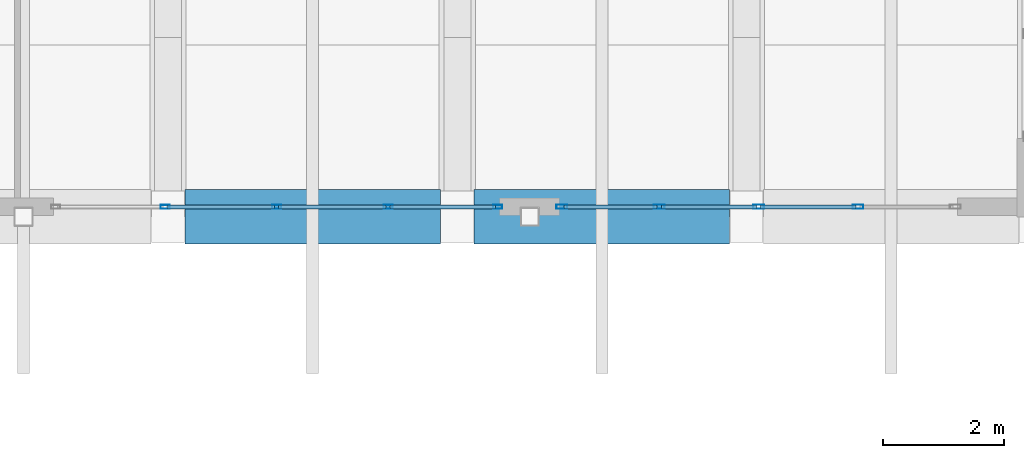
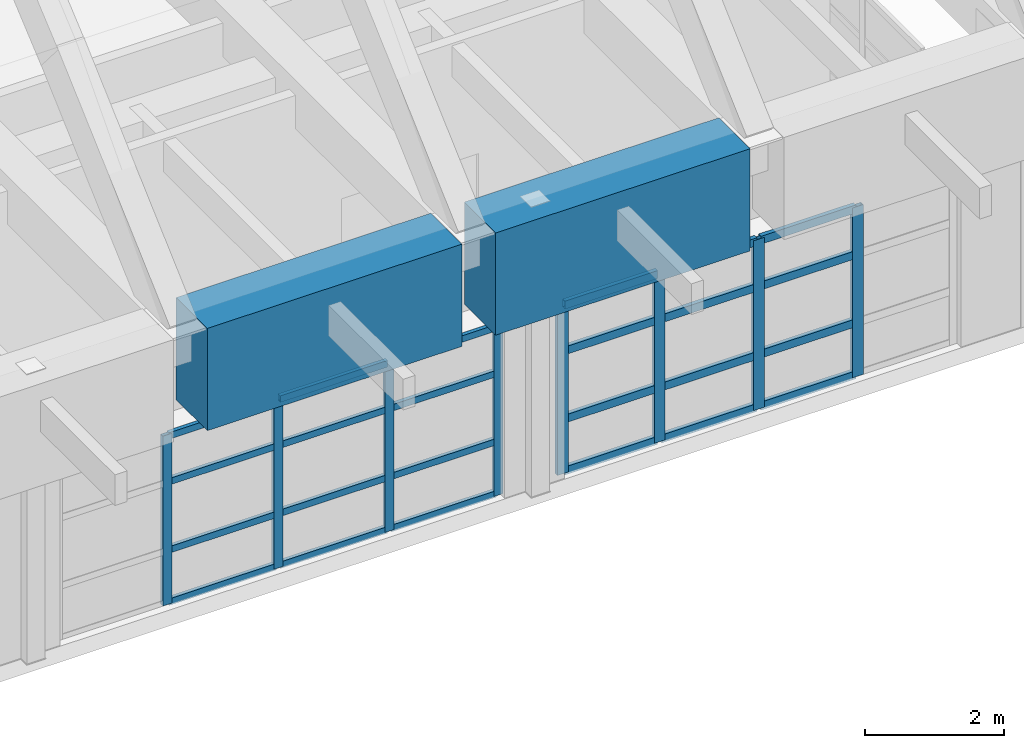
# One storey, part 41 of 78: 32 members, 2 beams, 2 elements without a shape of their own.
"""IFC4 building model written with IfcOpenShell, lengths in metres."""

from ifc_helpers import new_model, si_unit, direction, frame, origin, origin_2d, place, context, subcontext, project, spatial, rectangle, hollow_rectangle, extrude, material, layer, layer_set, material_profile, profile_set, type_object, element, aggregate, save


model = new_model("IFC4")

# Units and contexts
model_context = context("Model", 3, precision=1e-05, world=origin(), true_north=direction((0.0, 1.0)))
body_context = subcontext(model_context, "Body", "Model", "MODEL_VIEW")
ifc_project = project(units=[si_unit("LENGTHUNIT", "METRE"), si_unit("AREAUNIT", "SQUARE_METRE"), si_unit("VOLUMEUNIT", "CUBIC_METRE"), si_unit("PLANEANGLEUNIT", "RADIAN"), si_unit("MASSUNIT", "GRAM", prefix="KILO")], contexts=[model_context])

# Site, building, storey
site_placement = place(None, origin())
site = spatial("IfcSite", under=ifc_project, at=site_placement, CompositionType="ELEMENT")
building_placement = place(site_placement, origin())
building = spatial("IfcBuilding", under=site, at=building_placement, Name="Quendrovan Civic Courthouse", CompositionType="ELEMENT")
storey_placement = place(building_placement, frame((0.0, 0.0, 20.39990234375)))
storey = spatial("IfcBuildingStorey", under=building, at=storey_placement, Name="L05", CompositionType="ELEMENT", Elevation=20.39990234375)

# Beams
ifc_material_1 = material(Name="Concrete C45/55", Category="concrete")
ifc_material_profile_1 = material_profile(ifc_material_1, rectangle(XDim=0.89990234375, YDim=1.800048828125, at=origin_2d()), Name="RC-TG-900x1800")
ifc_profile_set_1 = profile_set([ifc_material_profile_1], Name="Concrete C45/55")
beam_type = type_object("IfcBeamType", Name="BM-TG1800", PredefinedType="BEAM", material=ifc_profile_set_1)
for number, where, z_axis, x_axis, name in (
    (1, (128.679931640625, 87.60009765625, 4.2001953125), (1.0, 0.0, 0.0), (0.0, 1.0, 0.0), "BV1 Springing Collector Girder S-5"),
    (2, (133.47998046875, 87.60009765625, 4.2001953125), (1.0, 0.0, 0.0), (0.0, 1.0, 0.0), "BV1 Springing Collector Girder S-6"),
):
    element("IfcBeam", number, at=place(storey_placement, frame(where, z_axis=z_axis, x_axis=x_axis)), inside=storey, type_object=beam_type, Name=name, PredefinedType="BEAM", context=body_context, shape_type="SweptSolid", body=[
        extrude(rectangle(XDim=0.89990234375, YDim=1.800048828125, at=origin_2d()), origin(), (0.0, 0.0, 1.0), 4.239990234375),
    ])

# Curtain wall, members
ifc_material_2 = material(Name="Bronze anodised aluminium and low-E glass", Category="aluminium")
ifc_layer_1 = layer(ifc_material_2, 0.179931640625, Name="Bronze anodised aluminium and low-E glass")
ifc_layer_set_1 = layer_set([ifc_layer_1], Name="Bronze anodised aluminium and low-E glass")
curtain_wall_type_1 = type_object("IfcCurtainWallType", Name="CW-U66x30", PredefinedType="USERDEFINED", material=ifc_layer_set_1)
curtain_wall_1_placement = place(storey_placement, origin())
curtain_wall_1 = element("IfcCurtainWall", 3, at=curtain_wall_1_placement, inside=storey, type_object=curtain_wall_type_1, Name="L05 Unitised Hurricane Curtain Wall CW-198", ObjectType="UNITISED CURTAIN WALL", PredefinedType="USERDEFINED")
ifc_material_3 = material(Name="Bronze anodised aluminium", Category="aluminium")
ifc_material_profile_2 = material_profile(ifc_material_3, hollow_rectangle(XDim=0.070068359375, YDim=0.179931640625, WallThickness=0.00390625, at=origin_2d()), Name="CW-MULL-70x180")
ifc_profile_set_2 = profile_set([ifc_material_profile_2], Name="Bronze anodised aluminium")
member_type_1 = type_object("IfcMemberType", Name="CW-MULL-A", PredefinedType="MULLION", material=ifc_profile_set_2)
member_1_placement = place(storey_placement, frame((139.85009765625, 87.764892578125, 0.0), z_axis=(0.0, 0.0, 1.0), x_axis=(0.0, -1.0, 0.0)))
member_1 = element("IfcMember", 4, at=member_1_placement, type_object=member_type_1, Name="CW-198 mullion 2", PredefinedType="MULLION", context=body_context, shape_type="SweptSolid", body=[
    extrude(hollow_rectangle(XDim=0.070068359375, YDim=0.179931640625, WallThickness=0.00390625, at=origin_2d()), origin(), (0.0, 0.0, 1.0), 2.989990234375),
])
member_2_placement = place(storey_placement, frame((138.199951171875, 87.764892578125, 0.0), z_axis=(0.0, 0.0, 1.0), x_axis=(0.0, -1.0, 0.0)))
member_2 = element("IfcMember", 5, at=member_2_placement, type_object=member_type_1, Name="CW-198 mullion 3", PredefinedType="MULLION", context=body_context, shape_type="SweptSolid", body=[
    extrude(hollow_rectangle(XDim=0.070068359375, YDim=0.179931640625, WallThickness=0.00390625, at=origin_2d()), origin(), (0.0, 0.0, 1.0), 2.989990234375),
])
member_3_placement = place(storey_placement, frame((136.550048828125, 87.764892578125, 0.0), z_axis=(0.0, 0.0, 1.0), x_axis=(0.0, -1.0, 0.0)))
member_3 = element("IfcMember", 6, at=member_3_placement, type_object=member_type_1, Name="CW-198 mullion 4", PredefinedType="MULLION", context=body_context, shape_type="SweptSolid", body=[
    extrude(hollow_rectangle(XDim=0.070068359375, YDim=0.179931640625, WallThickness=0.00390625, at=origin_2d()), origin(), (0.0, 0.0, 1.0), 2.989990234375),
])
member_4_placement = place(storey_placement, frame((134.93505859375, 87.764892578125, 0.0), z_axis=(0.0, 0.0, 1.0), x_axis=(0.0, -1.0, 0.0)))
member_4 = element("IfcMember", 7, at=member_4_placement, type_object=member_type_1, Name="CW-198 mullion 5", PredefinedType="MULLION", context=body_context, shape_type="SweptSolid", body=[
    extrude(hollow_rectangle(XDim=0.070068359375, YDim=0.179931640625, WallThickness=0.00390625, at=origin_2d()), origin(), (0.0, 0.0, 1.0), 2.989990234375),
])

ifc_layer_2 = layer(ifc_material_2, 0.179931640625, Name="Bronze anodised aluminium and low-E glass")
ifc_layer_set_2 = layer_set([ifc_layer_2], Name="Bronze anodised aluminium and low-E glass")
curtain_wall_type_2 = type_object("IfcCurtainWallType", Name="CW-U74x30", PredefinedType="USERDEFINED", material=ifc_layer_set_2)
curtain_wall_2_placement = place(storey_placement, origin())
curtain_wall_2 = element("IfcCurtainWall", 8, at=curtain_wall_2_placement, inside=storey, type_object=curtain_wall_type_2, Name="L05 Unitised Hurricane Curtain Wall CW-199", ObjectType="UNITISED CURTAIN WALL", PredefinedType="USERDEFINED")
ifc_material_profile_3 = material_profile(ifc_material_3, hollow_rectangle(XDim=0.06494140625, YDim=0.14990234375, WallThickness=0.00390625, at=origin_2d()), Name="CW-MULL-65x150")
ifc_profile_set_3 = profile_set([ifc_material_profile_3], Name="Bronze anodised aluminium")
member_type_2 = type_object("IfcMemberType", Name="CW-MULL-B", PredefinedType="MULLION", material=ifc_profile_set_3)
member_5_placement = place(storey_placement, frame((133.867431640625, 87.764892578125, 0.0), z_axis=(0.0, 0.0, 1.0), x_axis=(0.0, -1.0, 0.0)))
member_5 = element("IfcMember", 9, at=member_5_placement, type_object=member_type_2, Name="CW-199 mullion 1", PredefinedType="MULLION", context=body_context, shape_type="SweptSolid", body=[
    extrude(hollow_rectangle(XDim=0.06494140625, YDim=0.14990234375, WallThickness=0.00390625, at=origin_2d()), origin(), (0.0, 0.0, 1.0), 2.989990234375),
])
member_6_placement = place(storey_placement, frame((132.050048828125, 87.764892578125, 0.0), z_axis=(0.0, 0.0, 1.0), x_axis=(0.0, -1.0, 0.0)))
member_6 = element("IfcMember", 10, at=member_6_placement, type_object=member_type_2, Name="CW-199 mullion 2", PredefinedType="MULLION", context=body_context, shape_type="SweptSolid", body=[
    extrude(hollow_rectangle(XDim=0.06494140625, YDim=0.14990234375, WallThickness=0.00390625, at=origin_2d()), origin(), (0.0, 0.0, 1.0), 2.989990234375),
])
member_7_placement = place(storey_placement, frame((130.199951171875, 87.764892578125, 0.0), z_axis=(0.0, 0.0, 1.0), x_axis=(0.0, -1.0, 0.0)))
member_7 = element("IfcMember", 11, at=member_7_placement, type_object=member_type_2, Name="CW-199 mullion 3", PredefinedType="MULLION", context=body_context, shape_type="SweptSolid", body=[
    extrude(hollow_rectangle(XDim=0.06494140625, YDim=0.14990234375, WallThickness=0.00390625, at=origin_2d()), origin(), (0.0, 0.0, 1.0), 2.989990234375),
])
member_8_placement = place(storey_placement, frame((128.35009765625, 87.764892578125, 0.0), z_axis=(0.0, 0.0, 1.0), x_axis=(0.0, -1.0, 0.0)))
member_8 = element("IfcMember", 12, at=member_8_placement, type_object=member_type_2, Name="CW-199 mullion 4", PredefinedType="MULLION", context=body_context, shape_type="SweptSolid", body=[
    extrude(hollow_rectangle(XDim=0.06494140625, YDim=0.14990234375, WallThickness=0.00390625, at=origin_2d()), origin(), (0.0, 0.0, 1.0), 2.989990234375),
])

# Member
ifc_material_profile_4 = material_profile(ifc_material_3, hollow_rectangle(XDim=0.070068359375, YDim=0.139892578125, WallThickness=0.00390625, at=origin_2d()), Name="CW-TRAN-70x140")
ifc_profile_set_4 = profile_set([ifc_material_profile_4], Name="Bronze anodised aluminium")
member_type_3 = type_object("IfcMemberType", Name="CW-TRAN-A", PredefinedType="USERDEFINED", material=ifc_profile_set_4)
member_9_placement = place(storey_placement, frame((139.81494140625, 87.764892578125, 0.03515625), z_axis=(-1.0, 0.0, 0.0), x_axis=(0.0, -1.0, 0.0)))
member_9 = element("IfcMember", 13, at=member_9_placement, type_object=member_type_3, Name="CW-198 transom 2.1", ObjectType="TRANSOM", PredefinedType="USERDEFINED", context=body_context, shape_type="SweptSolid", body=[
    extrude(hollow_rectangle(XDim=0.070068359375, YDim=0.139892578125, WallThickness=0.00390625, at=origin_2d()), origin(), (0.0, 0.0, 1.0), 1.579833984375),
])

member_10_placement = place(storey_placement, frame((139.81494140625, 87.764892578125, 0.9501953125), z_axis=(-1.0, 0.0, 0.0), x_axis=(0.0, -1.0, 0.0)))
member_10 = element("IfcMember", 14, at=member_10_placement, type_object=member_type_3, Name="CW-198 transom 2.2", ObjectType="TRANSOM", PredefinedType="USERDEFINED", context=body_context, shape_type="SweptSolid", body=[
    extrude(hollow_rectangle(XDim=0.070068359375, YDim=0.139892578125, WallThickness=0.00390625, at=origin_2d()), origin(), (0.0, 0.0, 1.0), 1.579833984375),
])

member_11_placement = place(storey_placement, frame((139.81494140625, 87.764892578125, 2.150146484375), z_axis=(-1.0, 0.0, 0.0), x_axis=(0.0, -1.0, 0.0)))
member_11 = element("IfcMember", 15, at=member_11_placement, type_object=member_type_3, Name="CW-198 transom 2.3", ObjectType="TRANSOM", PredefinedType="USERDEFINED", context=body_context, shape_type="SweptSolid", body=[
    extrude(hollow_rectangle(XDim=0.070068359375, YDim=0.139892578125, WallThickness=0.00390625, at=origin_2d()), origin(), (0.0, 0.0, 1.0), 1.579833984375),
])

member_12_placement = place(storey_placement, frame((139.81494140625, 87.764892578125, 2.955078125), z_axis=(-1.0, 0.0, 0.0), x_axis=(0.0, -1.0, 0.0)))
member_12 = element("IfcMember", 16, at=member_12_placement, type_object=member_type_3, Name="CW-198 transom 2.4", ObjectType="TRANSOM", PredefinedType="USERDEFINED", context=body_context, shape_type="SweptSolid", body=[
    extrude(hollow_rectangle(XDim=0.070068359375, YDim=0.139892578125, WallThickness=0.00390625, at=origin_2d()), origin(), (0.0, 0.0, 1.0), 1.579833984375),
])

member_13_placement = place(storey_placement, frame((138.1650390625, 87.764892578125, 0.03515625), z_axis=(-1.0, 0.0, 0.0), x_axis=(0.0, -1.0, 0.0)))
member_13 = element("IfcMember", 17, at=member_13_placement, type_object=member_type_3, Name="CW-198 transom 3.1", ObjectType="TRANSOM", PredefinedType="USERDEFINED", context=body_context, shape_type="SweptSolid", body=[
    extrude(hollow_rectangle(XDim=0.070068359375, YDim=0.139892578125, WallThickness=0.00390625, at=origin_2d()), origin(), (0.0, 0.0, 1.0), 1.580078125),
])

member_14_placement = place(storey_placement, frame((138.1650390625, 87.764892578125, 0.9501953125), z_axis=(-1.0, 0.0, 0.0), x_axis=(0.0, -1.0, 0.0)))
member_14 = element("IfcMember", 18, at=member_14_placement, type_object=member_type_3, Name="CW-198 transom 3.2", ObjectType="TRANSOM", PredefinedType="USERDEFINED", context=body_context, shape_type="SweptSolid", body=[
    extrude(hollow_rectangle(XDim=0.070068359375, YDim=0.139892578125, WallThickness=0.00390625, at=origin_2d()), origin(), (0.0, 0.0, 1.0), 1.580078125),
])

member_15_placement = place(storey_placement, frame((138.1650390625, 87.764892578125, 2.150146484375), z_axis=(-1.0, 0.0, 0.0), x_axis=(0.0, -1.0, 0.0)))
member_15 = element("IfcMember", 19, at=member_15_placement, type_object=member_type_3, Name="CW-198 transom 3.3", ObjectType="TRANSOM", PredefinedType="USERDEFINED", context=body_context, shape_type="SweptSolid", body=[
    extrude(hollow_rectangle(XDim=0.070068359375, YDim=0.139892578125, WallThickness=0.00390625, at=origin_2d()), origin(), (0.0, 0.0, 1.0), 1.580078125),
])

member_16_placement = place(storey_placement, frame((138.1650390625, 87.764892578125, 2.955078125), z_axis=(-1.0, 0.0, 0.0), x_axis=(0.0, -1.0, 0.0)))
member_16 = element("IfcMember", 20, at=member_16_placement, type_object=member_type_3, Name="CW-198 transom 3.4", ObjectType="TRANSOM", PredefinedType="USERDEFINED", context=body_context, shape_type="SweptSolid", body=[
    extrude(hollow_rectangle(XDim=0.070068359375, YDim=0.139892578125, WallThickness=0.00390625, at=origin_2d()), origin(), (0.0, 0.0, 1.0), 1.580078125),
])

member_17_placement = place(storey_placement, frame((136.514892578125, 87.764892578125, 0.03515625), z_axis=(-1.0, 0.0, 0.0), x_axis=(0.0, -1.0, 0.0)))
member_17 = element("IfcMember", 21, at=member_17_placement, type_object=member_type_3, Name="CW-198 transom 4.1", ObjectType="TRANSOM", PredefinedType="USERDEFINED", context=body_context, shape_type="SweptSolid", body=[
    extrude(hollow_rectangle(XDim=0.070068359375, YDim=0.139892578125, WallThickness=0.00390625, at=origin_2d()), origin(), (0.0, 0.0, 1.0), 1.544921875),
])

member_18_placement = place(storey_placement, frame((136.514892578125, 87.764892578125, 0.9501953125), z_axis=(-1.0, 0.0, 0.0), x_axis=(0.0, -1.0, 0.0)))
member_18 = element("IfcMember", 22, at=member_18_placement, type_object=member_type_3, Name="CW-198 transom 4.2", ObjectType="TRANSOM", PredefinedType="USERDEFINED", context=body_context, shape_type="SweptSolid", body=[
    extrude(hollow_rectangle(XDim=0.070068359375, YDim=0.139892578125, WallThickness=0.00390625, at=origin_2d()), origin(), (0.0, 0.0, 1.0), 1.544921875),
])

member_19_placement = place(storey_placement, frame((136.514892578125, 87.764892578125, 2.150146484375), z_axis=(-1.0, 0.0, 0.0), x_axis=(0.0, -1.0, 0.0)))
member_19 = element("IfcMember", 23, at=member_19_placement, type_object=member_type_3, Name="CW-198 transom 4.3", ObjectType="TRANSOM", PredefinedType="USERDEFINED", context=body_context, shape_type="SweptSolid", body=[
    extrude(hollow_rectangle(XDim=0.070068359375, YDim=0.139892578125, WallThickness=0.00390625, at=origin_2d()), origin(), (0.0, 0.0, 1.0), 1.544921875),
])

member_20_placement = place(storey_placement, frame((136.514892578125, 87.764892578125, 2.955078125), z_axis=(-1.0, 0.0, 0.0), x_axis=(0.0, -1.0, 0.0)))
member_20 = element("IfcMember", 24, at=member_20_placement, type_object=member_type_3, Name="CW-198 transom 4.4", ObjectType="TRANSOM", PredefinedType="USERDEFINED", context=body_context, shape_type="SweptSolid", body=[
    extrude(hollow_rectangle(XDim=0.070068359375, YDim=0.139892578125, WallThickness=0.00390625, at=origin_2d()), origin(), (0.0, 0.0, 1.0), 1.544921875),
])

aggregate(curtain_wall_1, [member_1, member_2, member_3, member_4, member_9, member_10, member_11, member_12, member_13, member_14, member_15, member_16, member_17, member_18, member_19, member_20])

ifc_material_profile_5 = material_profile(ifc_material_3, hollow_rectangle(XDim=0.06494140625, YDim=0.114990234375, WallThickness=0.00390625, at=origin_2d()), Name="CW-TRAN-65x115")
ifc_profile_set_5 = profile_set([ifc_material_profile_5], Name="Bronze anodised aluminium")
member_type_4 = type_object("IfcMemberType", Name="CW-TRAN-B", PredefinedType="USERDEFINED", material=ifc_profile_set_5)
member_21_placement = place(storey_placement, frame((133.8349609375, 87.764892578125, 0.03271484375), z_axis=(-1.0, 0.0, 0.0), x_axis=(0.0, -1.0, 0.0)))
member_21 = element("IfcMember", 25, at=member_21_placement, type_object=member_type_4, Name="CW-199 transom 1.1", ObjectType="TRANSOM", PredefinedType="USERDEFINED", context=body_context, shape_type="SweptSolid", body=[
    extrude(hollow_rectangle(XDim=0.06494140625, YDim=0.114990234375, WallThickness=0.00390625, at=origin_2d()), origin(), (0.0, 0.0, 1.0), 1.75244140625),
])

member_22_placement = place(storey_placement, frame((133.8349609375, 87.764892578125, 0.9501953125), z_axis=(-1.0, 0.0, 0.0), x_axis=(0.0, -1.0, 0.0)))
member_22 = element("IfcMember", 26, at=member_22_placement, type_object=member_type_4, Name="CW-199 transom 1.2", ObjectType="TRANSOM", PredefinedType="USERDEFINED", context=body_context, shape_type="SweptSolid", body=[
    extrude(hollow_rectangle(XDim=0.06494140625, YDim=0.114990234375, WallThickness=0.00390625, at=origin_2d()), origin(), (0.0, 0.0, 1.0), 1.75244140625),
])

member_23_placement = place(storey_placement, frame((133.8349609375, 87.764892578125, 2.150146484375), z_axis=(-1.0, 0.0, 0.0), x_axis=(0.0, -1.0, 0.0)))
member_23 = element("IfcMember", 27, at=member_23_placement, type_object=member_type_4, Name="CW-199 transom 1.3", ObjectType="TRANSOM", PredefinedType="USERDEFINED", context=body_context, shape_type="SweptSolid", body=[
    extrude(hollow_rectangle(XDim=0.06494140625, YDim=0.114990234375, WallThickness=0.00390625, at=origin_2d()), origin(), (0.0, 0.0, 1.0), 1.75244140625),
])

member_24_placement = place(storey_placement, frame((133.8349609375, 87.764892578125, 2.95751953125), z_axis=(-1.0, 0.0, 0.0), x_axis=(0.0, -1.0, 0.0)))
member_24 = element("IfcMember", 28, at=member_24_placement, type_object=member_type_4, Name="CW-199 transom 1.4", ObjectType="TRANSOM", PredefinedType="USERDEFINED", context=body_context, shape_type="SweptSolid", body=[
    extrude(hollow_rectangle(XDim=0.06494140625, YDim=0.114990234375, WallThickness=0.00390625, at=origin_2d()), origin(), (0.0, 0.0, 1.0), 1.75244140625),
])

member_25_placement = place(storey_placement, frame((132.017578125, 87.764892578125, 0.03271484375), z_axis=(-1.0, 0.0, 0.0), x_axis=(0.0, -1.0, 0.0)))
member_25 = element("IfcMember", 29, at=member_25_placement, type_object=member_type_4, Name="CW-199 transom 2.1", ObjectType="TRANSOM", PredefinedType="USERDEFINED", context=body_context, shape_type="SweptSolid", body=[
    extrude(hollow_rectangle(XDim=0.06494140625, YDim=0.114990234375, WallThickness=0.00390625, at=origin_2d()), origin(), (0.0, 0.0, 1.0), 1.78515625),
])

member_26_placement = place(storey_placement, frame((132.017578125, 87.764892578125, 0.9501953125), z_axis=(-1.0, 0.0, 0.0), x_axis=(0.0, -1.0, 0.0)))
member_26 = element("IfcMember", 30, at=member_26_placement, type_object=member_type_4, Name="CW-199 transom 2.2", ObjectType="TRANSOM", PredefinedType="USERDEFINED", context=body_context, shape_type="SweptSolid", body=[
    extrude(hollow_rectangle(XDim=0.06494140625, YDim=0.114990234375, WallThickness=0.00390625, at=origin_2d()), origin(), (0.0, 0.0, 1.0), 1.78515625),
])

member_27_placement = place(storey_placement, frame((132.017578125, 87.764892578125, 2.150146484375), z_axis=(-1.0, 0.0, 0.0), x_axis=(0.0, -1.0, 0.0)))
member_27 = element("IfcMember", 31, at=member_27_placement, type_object=member_type_4, Name="CW-199 transom 2.3", ObjectType="TRANSOM", PredefinedType="USERDEFINED", context=body_context, shape_type="SweptSolid", body=[
    extrude(hollow_rectangle(XDim=0.06494140625, YDim=0.114990234375, WallThickness=0.00390625, at=origin_2d()), origin(), (0.0, 0.0, 1.0), 1.78515625),
])

member_28_placement = place(storey_placement, frame((132.017578125, 87.764892578125, 2.95751953125), z_axis=(-1.0, 0.0, 0.0), x_axis=(0.0, -1.0, 0.0)))
member_28 = element("IfcMember", 32, at=member_28_placement, type_object=member_type_4, Name="CW-199 transom 2.4", ObjectType="TRANSOM", PredefinedType="USERDEFINED", context=body_context, shape_type="SweptSolid", body=[
    extrude(hollow_rectangle(XDim=0.06494140625, YDim=0.114990234375, WallThickness=0.00390625, at=origin_2d()), origin(), (0.0, 0.0, 1.0), 1.78515625),
])

member_29_placement = place(storey_placement, frame((130.16748046875, 87.764892578125, 0.03271484375), z_axis=(-1.0, 0.0, 0.0), x_axis=(0.0, -1.0, 0.0)))
member_29 = element("IfcMember", 33, at=member_29_placement, type_object=member_type_4, Name="CW-199 transom 3.1", ObjectType="TRANSOM", PredefinedType="USERDEFINED", context=body_context, shape_type="SweptSolid", body=[
    extrude(hollow_rectangle(XDim=0.06494140625, YDim=0.114990234375, WallThickness=0.00390625, at=origin_2d()), origin(), (0.0, 0.0, 1.0), 1.784912109375),
])

member_30_placement = place(storey_placement, frame((130.16748046875, 87.764892578125, 0.9501953125), z_axis=(-1.0, 0.0, 0.0), x_axis=(0.0, -1.0, 0.0)))
member_30 = element("IfcMember", 34, at=member_30_placement, type_object=member_type_4, Name="CW-199 transom 3.2", ObjectType="TRANSOM", PredefinedType="USERDEFINED", context=body_context, shape_type="SweptSolid", body=[
    extrude(hollow_rectangle(XDim=0.06494140625, YDim=0.114990234375, WallThickness=0.00390625, at=origin_2d()), origin(), (0.0, 0.0, 1.0), 1.784912109375),
])

member_31_placement = place(storey_placement, frame((130.16748046875, 87.764892578125, 2.150146484375), z_axis=(-1.0, 0.0, 0.0), x_axis=(0.0, -1.0, 0.0)))
member_31 = element("IfcMember", 35, at=member_31_placement, type_object=member_type_4, Name="CW-199 transom 3.3", ObjectType="TRANSOM", PredefinedType="USERDEFINED", context=body_context, shape_type="SweptSolid", body=[
    extrude(hollow_rectangle(XDim=0.06494140625, YDim=0.114990234375, WallThickness=0.00390625, at=origin_2d()), origin(), (0.0, 0.0, 1.0), 1.784912109375),
])

member_32_placement = place(storey_placement, frame((130.16748046875, 87.764892578125, 2.95751953125), z_axis=(-1.0, 0.0, 0.0), x_axis=(0.0, -1.0, 0.0)))
member_32 = element("IfcMember", 36, at=member_32_placement, type_object=member_type_4, Name="CW-199 transom 3.4", ObjectType="TRANSOM", PredefinedType="USERDEFINED", context=body_context, shape_type="SweptSolid", body=[
    extrude(hollow_rectangle(XDim=0.06494140625, YDim=0.114990234375, WallThickness=0.00390625, at=origin_2d()), origin(), (0.0, 0.0, 1.0), 1.784912109375),
])

aggregate(curtain_wall_2, [member_5, member_6, member_7, member_8, member_21, member_22, member_23, member_24, member_25, member_26, member_27, member_28, member_29, member_30, member_31, member_32])

save(model, "model.ifc")
